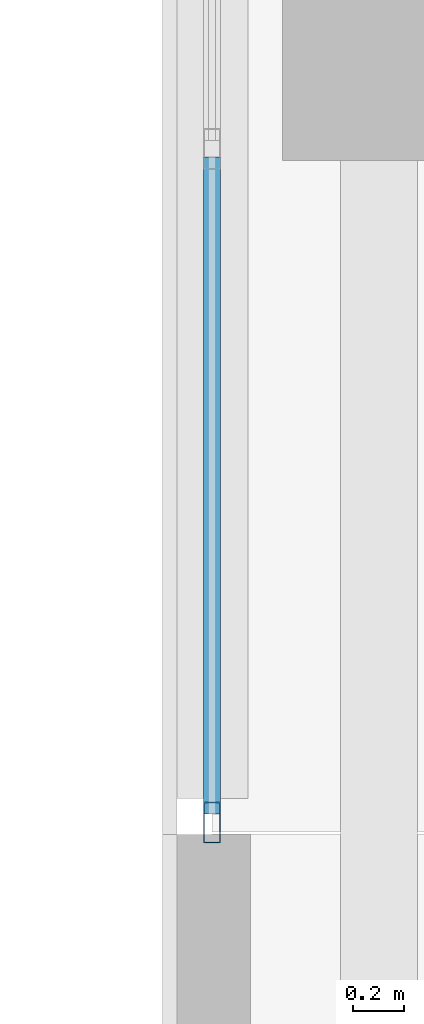
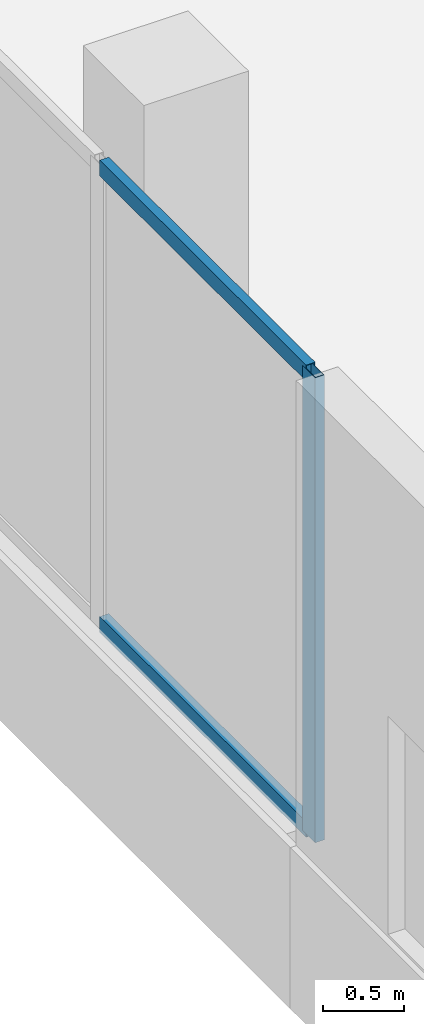
# One storey, part 57 of 155: 3 members, 1 element without a shape of its own.
"""IFC4 building model written with IfcOpenShell, lengths in metres."""

import ifcopenshell
import ifcopenshell.guid

model = None  # the IFC model being written
_history = None  # IfcOwnerHistory: only IFC2X3 demands one
_inside = {}  # id of a spatial element -> (the spatial element, [elements in it])
_under = {}  # id of a project, library or spatial element -> (it, [spatial elements below it])
_declared = {}  # id of a project -> (the project, [libraries it declares])
_typed = {}  # id of a type object -> (the type object, [elements of that type])
_made_of = {}  # id of a material, layer set ... -> (it, [elements and type objects made of it])


def new_model(schema):
    """Start an empty IFC model of exactly this schema.

    Asked for "IFC4X3", IfcOpenShell would pick the latest addendum, in which some entities
    have other attributes; the version numbers below select the first issue.
    IFC2X3 requires an IfcOwnerHistory on every rooted entity: one is made here for all.
    """
    global model, _history
    if schema == "IFC4X3":
        model = ifcopenshell.file(schema_version=(4, 3, 0, 0))
    else:
        model = ifcopenshell.file(schema=schema)
    _inside.clear()
    _under.clear()
    _declared.clear()
    _typed.clear()
    _made_of.clear()
    _history = None
    if model.schema == "IFC2X3":
        org = make("IfcOrganization", Name="unknown")
        user = make(
            "IfcPersonAndOrganization",
            ThePerson=make("IfcPerson", FamilyName="unknown"),
            TheOrganization=org,
        )
        app = make(
            "IfcApplication",
            ApplicationDeveloper=org,
            Version="unknown",
            ApplicationFullName="unknown",
            ApplicationIdentifier="unknown",
        )
        _history = make(
            "IfcOwnerHistory",
            OwningUser=user,
            OwningApplication=app,
            ChangeAction="ADDED",
            CreationDate=0,
        )
    return model


def make(cls, **values):
    """One entity of the class cls with the attributes given. An attribute that is None is left unset."""
    return model.create_entity(
        cls, **{name: value for name, value in values.items() if value is not None}
    )


def rooted(cls, **values):
    """An entity with a GlobalId (a new one), such as an element, a storey or a relation."""
    return make(cls, GlobalId=ifcopenshell.guid.new(), OwnerHistory=_history, **values)


def si_unit(unit_type, name, prefix=None):
    """IfcSIUnit, for example si_unit("LENGTHUNIT", "METRE", prefix="MILLI")."""
    return make("IfcSIUnit", UnitType=unit_type, Prefix=prefix, Name=name)


def assignment(units):
    """IfcUnitAssignment: the units of a project."""
    return None if units is None else make("IfcUnitAssignment", Units=units)


def point(xyz):
    """IfcCartesianPoint."""
    return None if xyz is None else make("IfcCartesianPoint", Coordinates=xyz)


def direction(xyz):
    """IfcDirection."""
    return None if xyz is None else make("IfcDirection", DirectionRatios=xyz)


def frame(location, z_axis=None, x_axis=None):
    """IfcAxis2Placement3D, a coordinate frame: its origin and axes. An axis left out is left unset."""
    return make(
        "IfcAxis2Placement3D",
        Location=point(location),
        Axis=direction(z_axis),
        RefDirection=direction(x_axis),
    )


def frame_2d(location, x_axis=None):
    """IfcAxis2Placement2D, a coordinate frame in the plane: its origin and x axis."""
    return make(
        "IfcAxis2Placement2D", Location=point(location), RefDirection=direction(x_axis)
    )


def origin():
    """The frame at (0, 0, 0) with its axes left unset."""
    return frame((0.0, 0.0, 0.0))


def origin_2d():
    """The frame at (0, 0) in the plane with its x axis left unset."""
    return frame_2d((0.0, 0.0))


def place(relative_to, where):
    """IfcLocalPlacement: puts the frame where relative to a parent placement (None: the world)."""
    return make(
        "IfcLocalPlacement", PlacementRelTo=relative_to, RelativePlacement=where
    )


def context(
    kind, dimensions, precision=None, world=None, true_north=None, identifier=None
):
    """IfcGeometricRepresentationContext, for example the 3D "Model" context."""
    return make(
        "IfcGeometricRepresentationContext",
        ContextIdentifier=identifier,
        ContextType=kind,
        CoordinateSpaceDimension=dimensions,
        Precision=precision,
        WorldCoordinateSystem=world,
        TrueNorth=true_north,
    )


def subcontext(parent, identifier, kind, view, scale=None):
    """IfcGeometricRepresentationSubContext, for example "Body" below "Model"."""
    return make(
        "IfcGeometricRepresentationSubContext",
        ContextIdentifier=identifier,
        ContextType=kind,
        ParentContext=parent,
        TargetScale=scale,
        TargetView=view,
    )


def project(units=None, contexts=None):
    """IfcProject with its units and contexts."""
    return rooted(
        "IfcProject",
        Name="project",
        RepresentationContexts=contexts,
        UnitsInContext=assignment(units),
    )


def spatial(cls, under=None, at=None, **own):
    """A site, building, storey or space (cls), placed at a placement, below another one or the project."""
    s = rooted(cls, ObjectPlacement=at, **own)
    if under is not None:
        _under.setdefault(under.id(), (under, []))[1].append(s)
    return s


def profile(cls, at=None, kind="AREA", **sizes):
    """A parametric profile (cls). Its sizes go by their IFC names, for example OverallWidth=200.0."""
    return make(cls, ProfileType=kind, Position=at, **sizes)


def hollow_rectangle(**sizes):
    """IfcRectangleHollowProfileDef."""
    return profile("IfcRectangleHollowProfileDef", **sizes)


def extrude(swept, where, along, depth):
    """IfcExtrudedAreaSolid: the profile swept, set in the frame where, extruded along a direction by depth."""
    return make(
        "IfcExtrudedAreaSolid",
        SweptArea=swept,
        Position=where,
        ExtrudedDirection=direction(along),
        Depth=depth,
    )


def shape(context_of_items, identifier, shape_type, items):
    """IfcShapeRepresentation: the items that make up one representation, for example the "Body"."""
    return make(
        "IfcShapeRepresentation",
        ContextOfItems=context_of_items,
        RepresentationIdentifier=identifier,
        RepresentationType=shape_type,
        Items=items,
    )


def material(Name=None, Category=None):
    """IfcMaterial."""
    return make("IfcMaterial", Name=Name, Category=Category)


def material_profile(
    of_material, cross_section, Name=None, Category=None, Priority=None
):
    """IfcMaterialProfile: a cross section and its material."""
    return make(
        "IfcMaterialProfile",
        Name=Name,
        Material=of_material,
        Profile=cross_section,
        Priority=Priority,
        Category=Category,
    )


def profile_set(profiles, Name=None, composite=None):
    """IfcMaterialProfileSet."""
    return make(
        "IfcMaterialProfileSet",
        Name=Name,
        MaterialProfiles=profiles,
        CompositeProfile=composite,
    )


def made_of(thing, what):
    """Note that an element or type object is made of a material, layer set ...; save() writes the relation."""
    if what is not None:
        _made_of.setdefault(what.id(), (what, []))[1].append(thing)
    return thing


def type_object(cls, material=None, **own):
    """A type object (cls), such as IfcWallType, which elements share."""
    return made_of(rooted(cls, **own), material)


def element(
    cls,
    number,
    at=None,
    inside=None,
    cuts=None,
    type_object=None,
    material=None,
    context=None,
    identifier="Body",
    shape_type=None,
    held_by="IfcProductDefinitionShape",
    body=None,
    shapes=None,
    **own,
):
    """One element of the class cls, such as IfcWall. Its Tag is "e" and its number.

    at: its placement. inside: the storey or other place that contains it. cuts: it is an
    opening in that element (IfcRelVoidsElement). A single representation is given by context,
    identifier, shape_type and body (its items); several are given by shapes. held_by: the class
    of the entity that holds the representations. save() writes the other relations.
    """
    e = rooted(cls, Tag="e%d" % number, ObjectPlacement=at, **own)
    if body is not None:
        shapes = [shape(context, identifier, shape_type, body)]
    if shapes is not None:
        e.Representation = make(held_by, Representations=shapes)
    if inside is not None:
        _inside.setdefault(inside.id(), (inside, []))[1].append(e)
    if cuts is not None:
        rooted(
            "IfcRelVoidsElement", RelatingBuildingElement=cuts, RelatedOpeningElement=e
        )
    if type_object is not None:
        _typed.setdefault(type_object.id(), (type_object, []))[1].append(e)
    return made_of(e, material)


def aggregate(whole, parts):
    """IfcRelAggregates: a whole, such as a stair, and the parts it consists of."""
    return rooted("IfcRelAggregates", RelatingObject=whole, RelatedObjects=parts)


def save(model, path):
    """Write the relations noted so far, then the file.

    IfcRelAggregates (storeys below a building ...), IfcRelContainedInSpatialStructure (elements
    in a storey), IfcRelDefinesByType, IfcRelAssociatesMaterial and IfcRelDeclares: one each for
    every whole, place, type object, material and project.
    """
    for whole, parts in _under.values():
        aggregate(whole, parts)
    for where, things in _inside.values():
        rooted(
            "IfcRelContainedInSpatialStructure",
            RelatedElements=things,
            RelatingStructure=where,
        )
    for kind, things in _typed.values():
        rooted("IfcRelDefinesByType", RelatedObjects=things, RelatingType=kind)
    for what, things in _made_of.values():
        rooted("IfcRelAssociatesMaterial", RelatedObjects=things, RelatingMaterial=what)
    for by, libraries in _declared.values():
        rooted("IfcRelDeclares", RelatingContext=by, RelatedDefinitions=libraries)
    model.write(path)


model = new_model("IFC4")

# Units and contexts
model_context = context("Model", 3, precision=1e-05, world=origin(), true_north=direction((0.0, 1.0)))
body_context = subcontext(model_context, "Body", "Model", "MODEL_VIEW")
ifc_project = project(units=[si_unit("LENGTHUNIT", "METRE"), si_unit("AREAUNIT", "SQUARE_METRE"), si_unit("VOLUMEUNIT", "CUBIC_METRE"), si_unit("PLANEANGLEUNIT", "RADIAN"), si_unit("MASSUNIT", "GRAM", prefix="KILO")], contexts=[model_context])

# Site, building, storey
site_placement = place(None, origin())
site = spatial("IfcSite", under=ifc_project, at=site_placement, CompositionType="ELEMENT")
building_placement = place(site_placement, origin())
building = spatial("IfcBuilding", under=site, at=building_placement, Name="Selatvlak General Hospital", CompositionType="ELEMENT")
storey_placement = place(building_placement, frame((0.0, 0.0, 10.199951171875)))
storey = spatial("IfcBuildingStorey", under=building, at=storey_placement, Name="L02", CompositionType="ELEMENT", Elevation=10.199951171875)

# Curtain wall, members
ifc_material_1 = material(Name="Solar-control Low-E double glazing", Category="glass")
curtain_wall_type = type_object("IfcCurtainWallType", Name="CW-CW-02", PredefinedType="USERDEFINED", material=ifc_material_1)
curtain_wall_placement = place(storey_placement, origin())
curtain_wall = element("IfcCurtainWall", 1, at=curtain_wall_placement, inside=storey, type_object=curtain_wall_type, Name="Glazed facade curtain wall CW-L02-0239", ObjectType="UNITISED CURTAIN WALL", PredefinedType="USERDEFINED")
ifc_material_2 = material(Name="Dark anodised aluminium mullion", Category="aluminium")
ifc_material_profile_1 = material_profile(ifc_material_2, hollow_rectangle(XDim=0.06494140625, YDim=0.159912109375, WallThickness=0.00390625, at=origin_2d()), Name="AL-MUL 65x160x4")
ifc_profile_set_1 = profile_set([ifc_material_profile_1], Name="Dark anodised aluminium mullion")
member_type_1 = type_object("IfcMemberType", Name="CWM-01", PredefinedType="MULLION", material=ifc_profile_set_1)
member_1_placement = place(storey_placement, frame((14.39990234375, 88.04638671875, 0.93994140625), z_axis=(0.0, 0.0, 1.0), x_axis=(-1.0, 0.0, 0.0)))
member_1 = element("IfcMember", 2, at=member_1_placement, type_object=member_type_1, Name="CW-02 mullion 1", PredefinedType="MULLION", context=body_context, shape_type="SweptSolid", body=[
    extrude(hollow_rectangle(XDim=0.06494140625, YDim=0.159912109375, WallThickness=0.00390625, at=origin_2d()), origin(), (0.0, 0.0, 1.0), 3.52001953125),
])
ifc_material_profile_2 = material_profile(ifc_material_2, hollow_rectangle(XDim=0.06494140625, YDim=0.1201171875, WallThickness=0.00390625, at=origin_2d()), Name="AL-TRN 65x120x4")
ifc_profile_set_2 = profile_set([ifc_material_profile_2], Name="Dark anodised aluminium mullion")
member_type_2 = type_object("IfcMemberType", Name="CWT-01", PredefinedType="USERDEFINED", material=ifc_profile_set_2)
member_2_placement = place(storey_placement, frame((14.39990234375, 88.0791015625, 0.97265625), z_axis=(0.0, 1.0, 0.0), x_axis=(-1.0, 0.0, 0.0)))
member_2 = element("IfcMember", 3, at=member_2_placement, type_object=member_type_2, Name="CW-02 transom 1.1", ObjectType="TRANSOM", PredefinedType="USERDEFINED", context=body_context, shape_type="SweptSolid", body=[
    extrude(hollow_rectangle(XDim=0.06494140625, YDim=0.1201171875, WallThickness=0.00390625, at=origin_2d()), origin(), (0.0, 0.0, 1.0), 2.55908203125),
])
member_3_placement = place(storey_placement, frame((14.39990234375, 88.0791015625, 4.427490234375), z_axis=(0.0, 1.0, 0.0), x_axis=(-1.0, 0.0, 0.0)))
member_3 = element("IfcMember", 4, at=member_3_placement, type_object=member_type_2, Name="CW-02 transom 1.2", ObjectType="TRANSOM", PredefinedType="USERDEFINED", context=body_context, shape_type="SweptSolid", body=[
    extrude(hollow_rectangle(XDim=0.06494140625, YDim=0.1201171875, WallThickness=0.00390625, at=origin_2d()), origin(), (0.0, 0.0, 1.0), 2.55908203125),
])
aggregate(curtain_wall, [member_1, member_2, member_3])

save(model, "model.ifc")
